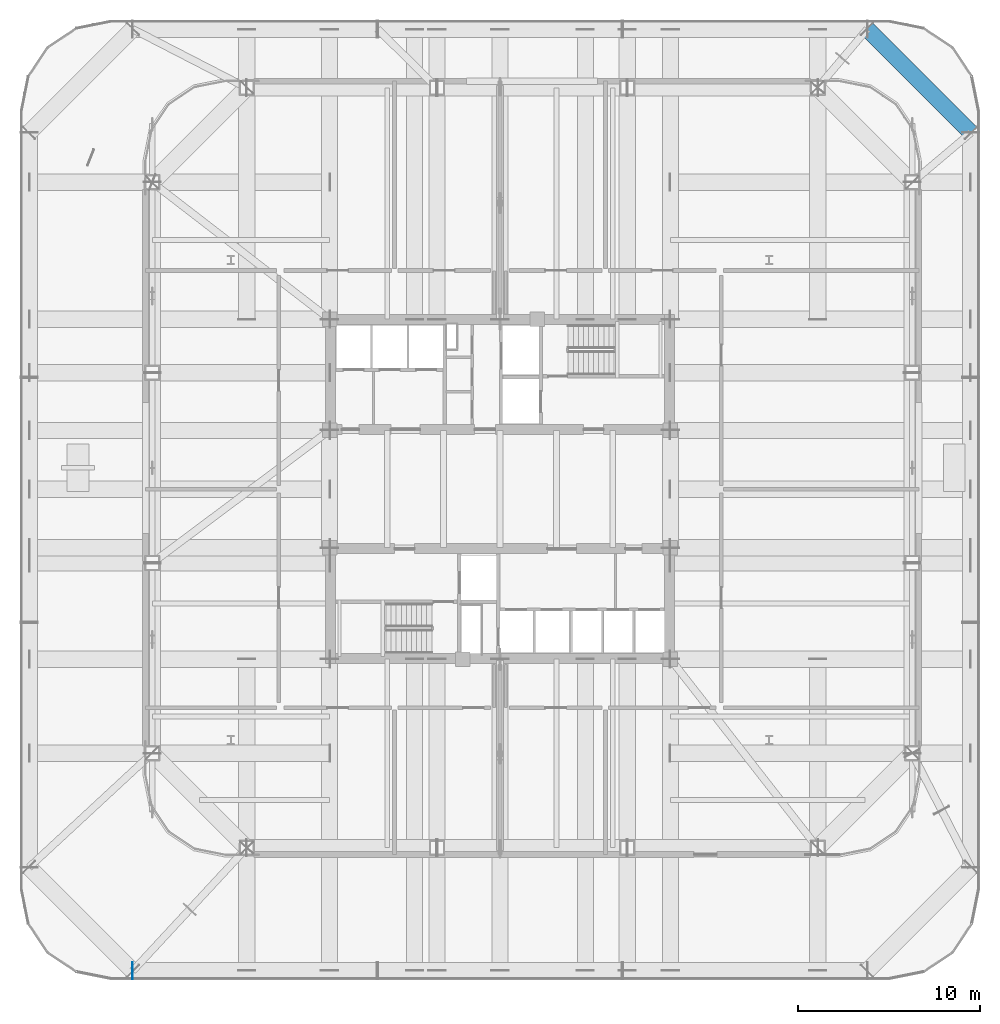
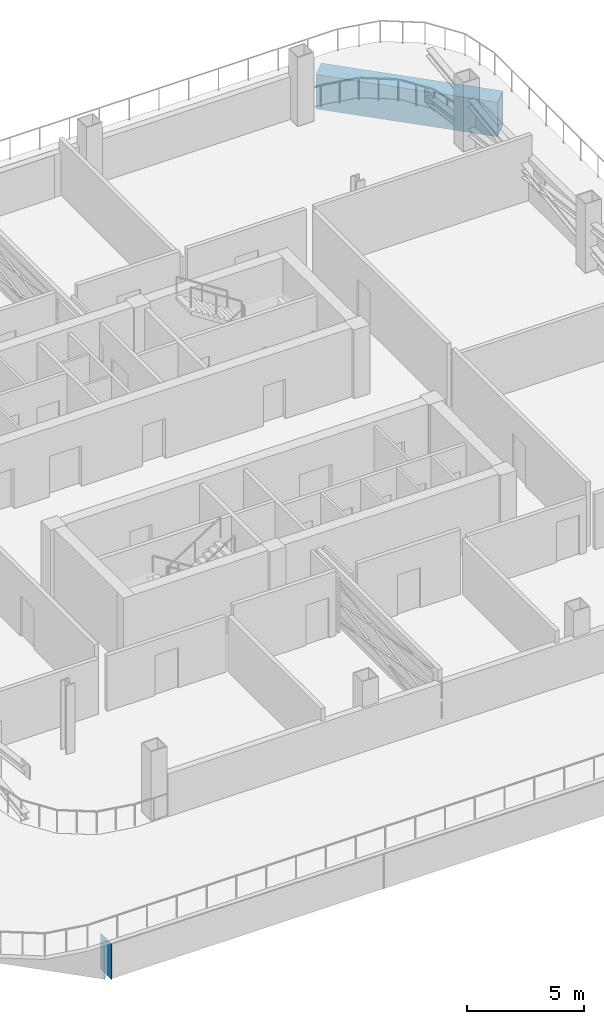
# One storey, part 3 of 16: 1 beam, 1 plate.
"""IFC4 building model written with IfcOpenShell, lengths in metres."""

from ifc_helpers import new_model, si_unit, direction, frame, origin, origin_2d, place, context, subcontext, project, spatial, rectangle, hollow_rectangle, extrude, material, layer, layer_set, material_profile, profile_set, type_object, element, save


model = new_model("IFC4")

# Units and contexts
model_context = context("Model", 3, precision=1e-05, world=origin(), true_north=direction((0.0, 1.0)))
body_context = subcontext(model_context, "Body", "Model", "MODEL_VIEW")
ifc_project = project(units=[si_unit("LENGTHUNIT", "METRE"), si_unit("AREAUNIT", "SQUARE_METRE"), si_unit("VOLUMEUNIT", "CUBIC_METRE"), si_unit("PLANEANGLEUNIT", "RADIAN"), si_unit("MASSUNIT", "GRAM", prefix="KILO")], contexts=[model_context])

# Site, building, storey
site_placement = place(None, origin())
site = spatial("IfcSite", under=ifc_project, at=site_placement, CompositionType="ELEMENT")
building_placement = place(site_placement, origin())
building = spatial("IfcBuilding", under=site, at=building_placement, Name="Qhalaya Broadcast Tower", CompositionType="ELEMENT")
storey_placement = place(building_placement, frame((0.0, 0.0, 57.89990234375)))
storey = spatial("IfcBuildingStorey", under=building, at=storey_placement, Name="L16", CompositionType="ELEMENT", Elevation=57.89990234375)

# Beam
ifc_material = material(Name="Structural Steel ASTM A572 Grade 50", Category="steel")
ifc_material_profile = material_profile(ifc_material, hollow_rectangle(XDim=0.89990234375, YDim=1.800048828125, WallThickness=0.06005859375, at=origin_2d()), Name="BOX 900x1800x60")
ifc_profile_set = profile_set([ifc_material_profile], Name="Structural Steel ASTM A572 Grade 50")
beam_type = type_object("IfcBeamType", Name="Block Cantilever Transfer Box Girder TG1", PredefinedType="USERDEFINED", material=ifc_profile_set)
beam_placement = place(storey_placement, frame((25.89990234375, 20.199951171875, -1.179931640625), z_axis=(-0.707106781187, 0.707106781187, 0.0), x_axis=(-0.707106781187, -0.707106781187, 0.0)))
element("IfcBeam", 1, at=beam_placement, inside=storey, type_object=beam_type, Name="L16 TG1 L16-TGL-08", ObjectType="GIRDER", PredefinedType="USERDEFINED", context=body_context, shape_type="SweptSolid", body=[
    extrude(hollow_rectangle(XDim=0.89990234375, YDim=1.800048828125, WallThickness=0.06005859375, at=origin_2d()), origin(), (0.0, 0.0, 1.0), 8.06103515625),
])

# Plate
ifc_layer = layer(ifc_material, 0.4599609375, Name="Structural Steel ASTM A572 Grade 50")
ifc_layer_set = layer_set([ifc_layer], Name="Structural Steel ASTM A572 Grade 50")
plate_type = type_object("IfcPlateType", Name="Hollow Box Member End Cap Plate CP-01", PredefinedType="USERDEFINED", material=ifc_layer_set)
plate_placement = place(storey_placement, frame((-20.216064453125, -25.89990234375, -2.10009765625), z_axis=(0.0, 0.0, 1.0), x_axis=(0.0, 1.0, 0.0)))
element("IfcPlate", 2, at=plate_placement, inside=storey, type_object=plate_type, Name="L16 Hollow Girder End Cap L16-TGL-01-A", ObjectType="COVER_PLATE", PredefinedType="USERDEFINED", context=body_context, shape_type="SweptSolid", body=[
    extrude(rectangle(XDim=0.93994140625, YDim=0.031982421875, at=origin_2d()), origin(), (0.0, 0.0, 1.0), 1.840087890625),
])

save(model, "model.ifc")
